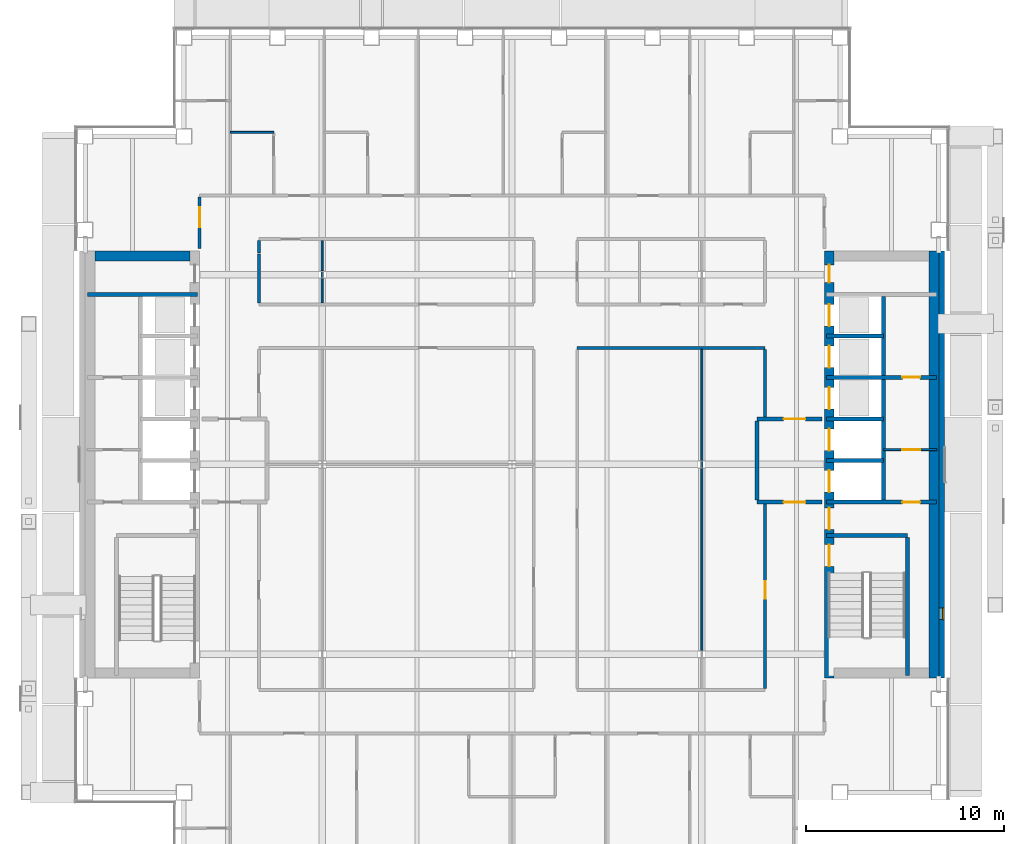
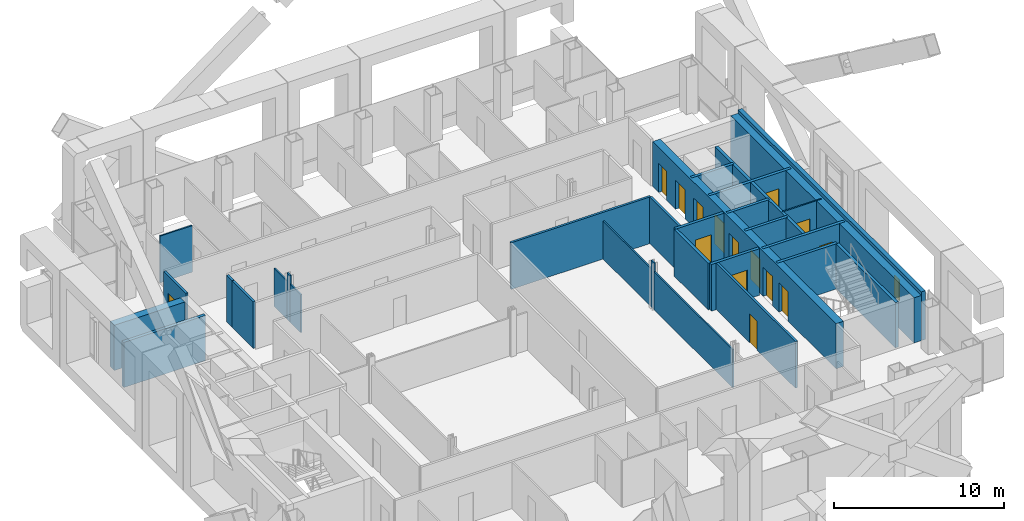
# One storey, part 14 of 22: 31 walls, 15 doors, 1 window, 16 openings.
"""IFC4 building model written with IfcOpenShell, lengths in metres."""

import ifcopenshell
import ifcopenshell.guid

model = None  # the IFC model being written
_history = None  # IfcOwnerHistory: only IFC2X3 demands one
_inside = {}  # id of a spatial element -> (the spatial element, [elements in it])
_under = {}  # id of a project, library or spatial element -> (it, [spatial elements below it])
_declared = {}  # id of a project -> (the project, [libraries it declares])
_typed = {}  # id of a type object -> (the type object, [elements of that type])
_made_of = {}  # id of a material, layer set ... -> (it, [elements and type objects made of it])


def new_model(schema):
    """Start an empty IFC model of exactly this schema.

    Asked for "IFC4X3", IfcOpenShell would pick the latest addendum, in which some entities
    have other attributes; the version numbers below select the first issue.
    IFC2X3 requires an IfcOwnerHistory on every rooted entity: one is made here for all.
    """
    global model, _history
    if schema == "IFC4X3":
        model = ifcopenshell.file(schema_version=(4, 3, 0, 0))
    else:
        model = ifcopenshell.file(schema=schema)
    _inside.clear()
    _under.clear()
    _declared.clear()
    _typed.clear()
    _made_of.clear()
    _history = None
    if model.schema == "IFC2X3":
        org = make("IfcOrganization", Name="unknown")
        user = make(
            "IfcPersonAndOrganization",
            ThePerson=make("IfcPerson", FamilyName="unknown"),
            TheOrganization=org,
        )
        app = make(
            "IfcApplication",
            ApplicationDeveloper=org,
            Version="unknown",
            ApplicationFullName="unknown",
            ApplicationIdentifier="unknown",
        )
        _history = make(
            "IfcOwnerHistory",
            OwningUser=user,
            OwningApplication=app,
            ChangeAction="ADDED",
            CreationDate=0,
        )
    return model


def make(cls, **values):
    """One entity of the class cls with the attributes given. An attribute that is None is left unset."""
    return model.create_entity(
        cls, **{name: value for name, value in values.items() if value is not None}
    )


def rooted(cls, **values):
    """An entity with a GlobalId (a new one), such as an element, a storey or a relation."""
    return make(cls, GlobalId=ifcopenshell.guid.new(), OwnerHistory=_history, **values)


def si_unit(unit_type, name, prefix=None):
    """IfcSIUnit, for example si_unit("LENGTHUNIT", "METRE", prefix="MILLI")."""
    return make("IfcSIUnit", UnitType=unit_type, Prefix=prefix, Name=name)


def assignment(units):
    """IfcUnitAssignment: the units of a project."""
    return None if units is None else make("IfcUnitAssignment", Units=units)


def point(xyz):
    """IfcCartesianPoint."""
    return None if xyz is None else make("IfcCartesianPoint", Coordinates=xyz)


def direction(xyz):
    """IfcDirection."""
    return None if xyz is None else make("IfcDirection", DirectionRatios=xyz)


def frame(location, z_axis=None, x_axis=None):
    """IfcAxis2Placement3D, a coordinate frame: its origin and axes. An axis left out is left unset."""
    return make(
        "IfcAxis2Placement3D",
        Location=point(location),
        Axis=direction(z_axis),
        RefDirection=direction(x_axis),
    )


def frame_2d(location, x_axis=None):
    """IfcAxis2Placement2D, a coordinate frame in the plane: its origin and x axis."""
    return make(
        "IfcAxis2Placement2D", Location=point(location), RefDirection=direction(x_axis)
    )


def origin():
    """The frame at (0, 0, 0) with its axes left unset."""
    return frame((0.0, 0.0, 0.0))


def place(relative_to, where):
    """IfcLocalPlacement: puts the frame where relative to a parent placement (None: the world)."""
    return make(
        "IfcLocalPlacement", PlacementRelTo=relative_to, RelativePlacement=where
    )


def context(
    kind, dimensions, precision=None, world=None, true_north=None, identifier=None
):
    """IfcGeometricRepresentationContext, for example the 3D "Model" context."""
    return make(
        "IfcGeometricRepresentationContext",
        ContextIdentifier=identifier,
        ContextType=kind,
        CoordinateSpaceDimension=dimensions,
        Precision=precision,
        WorldCoordinateSystem=world,
        TrueNorth=true_north,
    )


def subcontext(parent, identifier, kind, view, scale=None):
    """IfcGeometricRepresentationSubContext, for example "Body" below "Model"."""
    return make(
        "IfcGeometricRepresentationSubContext",
        ContextIdentifier=identifier,
        ContextType=kind,
        ParentContext=parent,
        TargetScale=scale,
        TargetView=view,
    )


def project(units=None, contexts=None):
    """IfcProject with its units and contexts."""
    return rooted(
        "IfcProject",
        Name="project",
        RepresentationContexts=contexts,
        UnitsInContext=assignment(units),
    )


def spatial(cls, under=None, at=None, **own):
    """A site, building, storey or space (cls), placed at a placement, below another one or the project."""
    s = rooted(cls, ObjectPlacement=at, **own)
    if under is not None:
        _under.setdefault(under.id(), (under, []))[1].append(s)
    return s


def profile(cls, at=None, kind="AREA", **sizes):
    """A parametric profile (cls). Its sizes go by their IFC names, for example OverallWidth=200.0."""
    return make(cls, ProfileType=kind, Position=at, **sizes)


def rectangle(**sizes):
    """IfcRectangleProfileDef."""
    return profile("IfcRectangleProfileDef", **sizes)


def extrude(swept, where, along, depth):
    """IfcExtrudedAreaSolid: the profile swept, set in the frame where, extruded along a direction by depth."""
    return make(
        "IfcExtrudedAreaSolid",
        SweptArea=swept,
        Position=where,
        ExtrudedDirection=direction(along),
        Depth=depth,
    )


def shape(context_of_items, identifier, shape_type, items):
    """IfcShapeRepresentation: the items that make up one representation, for example the "Body"."""
    return make(
        "IfcShapeRepresentation",
        ContextOfItems=context_of_items,
        RepresentationIdentifier=identifier,
        RepresentationType=shape_type,
        Items=items,
    )


def material(Name=None, Category=None):
    """IfcMaterial."""
    return make("IfcMaterial", Name=Name, Category=Category)


def layer(
    of_material, thickness, ventilated=None, Name=None, Category=None, Priority=None
):
    """IfcMaterialLayer: one layer of a wall or slab, of a material (None: an air gap)."""
    return make(
        "IfcMaterialLayer",
        Material=of_material,
        LayerThickness=thickness,
        IsVentilated=ventilated,
        Name=Name,
        Category=Category,
        Priority=Priority,
    )


def layer_set(layers, Name=None):
    """IfcMaterialLayerSet."""
    return make("IfcMaterialLayerSet", MaterialLayers=layers, LayerSetName=Name)


def made_of(thing, what):
    """Note that an element or type object is made of a material, layer set ...; save() writes the relation."""
    if what is not None:
        _made_of.setdefault(what.id(), (what, []))[1].append(thing)
    return thing


def type_object(cls, material=None, **own):
    """A type object (cls), such as IfcWallType, which elements share."""
    return made_of(rooted(cls, **own), material)


def element(
    cls,
    number,
    at=None,
    inside=None,
    cuts=None,
    type_object=None,
    material=None,
    context=None,
    identifier="Body",
    shape_type=None,
    held_by="IfcProductDefinitionShape",
    body=None,
    shapes=None,
    **own,
):
    """One element of the class cls, such as IfcWall. Its Tag is "e" and its number.

    at: its placement. inside: the storey or other place that contains it. cuts: it is an
    opening in that element (IfcRelVoidsElement). A single representation is given by context,
    identifier, shape_type and body (its items); several are given by shapes. held_by: the class
    of the entity that holds the representations. save() writes the other relations.
    """
    e = rooted(cls, Tag="e%d" % number, ObjectPlacement=at, **own)
    if body is not None:
        shapes = [shape(context, identifier, shape_type, body)]
    if shapes is not None:
        e.Representation = make(held_by, Representations=shapes)
    if inside is not None:
        _inside.setdefault(inside.id(), (inside, []))[1].append(e)
    if cuts is not None:
        rooted(
            "IfcRelVoidsElement", RelatingBuildingElement=cuts, RelatedOpeningElement=e
        )
    if type_object is not None:
        _typed.setdefault(type_object.id(), (type_object, []))[1].append(e)
    return made_of(e, material)


def fill(opening, filler):
    """IfcRelFillsElement: the door or window that sits in an opening."""
    return rooted(
        "IfcRelFillsElement",
        RelatingOpeningElement=opening,
        RelatedBuildingElement=filler,
    )


def aggregate(whole, parts):
    """IfcRelAggregates: a whole, such as a stair, and the parts it consists of."""
    return rooted("IfcRelAggregates", RelatingObject=whole, RelatedObjects=parts)


def save(model, path):
    """Write the relations noted so far, then the file.

    IfcRelAggregates (storeys below a building ...), IfcRelContainedInSpatialStructure (elements
    in a storey), IfcRelDefinesByType, IfcRelAssociatesMaterial and IfcRelDeclares: one each for
    every whole, place, type object, material and project.
    """
    for whole, parts in _under.values():
        aggregate(whole, parts)
    for where, things in _inside.values():
        rooted(
            "IfcRelContainedInSpatialStructure",
            RelatedElements=things,
            RelatingStructure=where,
        )
    for kind, things in _typed.values():
        rooted("IfcRelDefinesByType", RelatedObjects=things, RelatingType=kind)
    for what, things in _made_of.values():
        rooted("IfcRelAssociatesMaterial", RelatedObjects=things, RelatingMaterial=what)
    for by, libraries in _declared.values():
        rooted("IfcRelDeclares", RelatingContext=by, RelatedDefinitions=libraries)
    model.write(path)


model = new_model("IFC4")

# Units and contexts
model_context = context("Model", 3, precision=1e-05, world=origin(), true_north=direction((0.0, 1.0)))
body_context = subcontext(model_context, "Body", "Model", "MODEL_VIEW")
ifc_project = project(units=[si_unit("LENGTHUNIT", "METRE"), si_unit("AREAUNIT", "SQUARE_METRE"), si_unit("VOLUMEUNIT", "CUBIC_METRE"), si_unit("PLANEANGLEUNIT", "RADIAN"), si_unit("MASSUNIT", "GRAM", prefix="KILO")], contexts=[model_context])

# Site, building, storey
site_placement = place(None, origin())
site = spatial("IfcSite", under=ifc_project, at=site_placement, CompositionType="ELEMENT")
building_placement = place(site_placement, origin())
building = spatial("IfcBuilding", under=site, at=building_placement, Name="Cobrizo Arcos Hotel Tower", CompositionType="ELEMENT")
storey_placement = place(building_placement, frame((0.0, 0.0, 169.0)))
storey = spatial("IfcBuildingStorey", under=building, at=storey_placement, Name="L43", CompositionType="ELEMENT", Elevation=169.0)

# Wall
ifc_material_1 = material(Name="Gypsum board partition")
ifc_layer_1 = layer(ifc_material_1, 0.14990234375)
ifc_layer_set_1 = layer_set([ifc_layer_1], Name="Corridor wall EI 60 150")
wall_type_1 = type_object("IfcWallType", Name="Corridor wall EI 60 150", PredefinedType="PARTITIONING", material=ifc_layer_set_1)
wall_1_placement = place(storey_placement, frame((3.300048828125, 5.89990234375, 0.0), z_axis=(0.0, 0.0, 1.0), x_axis=(1.0, 0.0, 0.0)))
element("IfcWall", 1, at=wall_1_placement, inside=storey, type_object=wall_type_1, Name="Partition 030", PredefinedType="PARTITIONING", context=body_context, shape_type="SweptSolid", body=[
    extrude(rectangle(XDim=9.5, YDim=0.14990234375, at=frame_2d((4.75, 0.0))), origin(), (0.0, 0.0, 1.0), 3.35009765625),
])

# Wall, opening, door
wall_2_placement = place(storey_placement, frame((-15.800048828125, 10.919921875, 0.0), z_axis=(0.0, 0.0, 1.0), x_axis=(0.0, 1.0, 0.0)))
wall_2 = element("IfcWall", 2, at=wall_2_placement, inside=storey, type_object=wall_type_1, Name="Partition 051", PredefinedType="PARTITIONING", context=body_context, shape_type="SweptSolid", body=[
    extrude(rectangle(XDim=2.60498046875, YDim=0.14990234375, at=frame_2d((1.302490234375, 0.0))), origin(), (0.0, 0.0, 1.0), 3.35009765625),
])
opening_1_placement = place(wall_2_placement, frame((1.080078125, 0.0, 0.0)))
opening_1 = element("IfcOpeningElement", 3, at=opening_1_placement, cuts=wall_2, Name="Opening GD-09", PredefinedType="OPENING", context=body_context, shape_type="SweptSolid", body=[
    extrude(rectangle(XDim=1.0, YDim=2.10009765625, at=frame_2d((0.5, 1.050048828125))), frame((0.0, 0.0869140625, 0.0), z_axis=(0.0, -1.0, 0.0), x_axis=(1.0, 0.0, 0.0)), (0.0, 0.0, 1.0), 0.173828125),
])
ifc_material_2 = material(Name="Timber door leaf", Category="wood")
door_type_1 = type_object("IfcDoorType", Name="Guest room door FD30S 1000x2100", OperationType="SINGLE_SWING_LEFT", PredefinedType="DOOR", material=ifc_material_2)
door_1_placement = place(opening_1_placement, origin())
door_1 = element("IfcDoor", 4, at=door_1_placement, inside=storey, type_object=door_type_1, Name="Door GD-09", OperationType="SINGLE_SWING_RIGHT", OverallHeight=2.10009765625, OverallWidth=1.0, PredefinedType="DOOR", context=body_context, shape_type="SweptSolid", body=[
    extrude(rectangle(XDim=1.0, YDim=2.10009765625, at=frame_2d((0.5, 1.050048828125))), frame((0.0, 0.02490234375, 0.0), z_axis=(0.0, -1.0, 0.0), x_axis=(1.0, 0.0, 0.0)), (0.0, 0.0, 1.0), 0.050048828125),
])
fill(opening_1, door_1)

# Walls
wall_3_placement = place(storey_placement, frame((-12.800048828125, 8.175048828125, 0.0), z_axis=(0.0, 0.0, 1.0), x_axis=(0.0, 1.0, 0.0)))
element("IfcWall", 5, at=wall_3_placement, inside=storey, type_object=wall_type_1, Name="Partition 056", PredefinedType="PARTITIONING", context=body_context, shape_type="SweptSolid", body=[
    extrude(rectangle(XDim=2.474853515625, YDim=0.14990234375, at=frame_2d((1.2373046875, 0.0))), origin(), (0.0, 0.0, 1.0), 3.35009765625),
])
wall_4_placement = place(storey_placement, frame((-12.800048828125, 10.699951171875, 0.0), z_axis=(0.0, 0.0, 1.0), x_axis=(0.0, 1.0, 0.0)))
element("IfcWall", 6, at=wall_4_placement, inside=storey, type_object=wall_type_1, Name="Partition 057", PredefinedType="PARTITIONING", context=body_context, shape_type="SweptSolid", body=[
    extrude(rectangle(XDim=0.625, YDim=0.14990234375, at=frame_2d((0.3125, 0.0))), origin(), (0.0, 0.0, 1.0), 3.35009765625),
])

# Wall, opening, door
wall_5_placement = place(storey_placement, frame((12.800048828125, -11.324951171875, 0.0), z_axis=(0.0, 0.0, 1.0), x_axis=(0.0, 1.0, 0.0)))
wall_5 = element("IfcWall", 7, at=wall_5_placement, inside=storey, type_object=wall_type_1, Name="Partition 097", PredefinedType="PARTITIONING", context=body_context, shape_type="SweptSolid", body=[
    extrude(rectangle(XDim=9.324951171875, YDim=0.14990234375, at=frame_2d((4.66259765625, 0.0))), origin(), (0.0, 0.0, 1.0), 3.35009765625),
])
opening_2_placement = place(wall_5_placement, frame((4.52490234375, 0.0, 0.0)))
opening_2 = element("IfcOpeningElement", 8, at=opening_2_placement, cuts=wall_5, Name="Opening RD-18", PredefinedType="OPENING", context=body_context, shape_type="SweptSolid", body=[
    extrude(rectangle(XDim=0.89990234375, YDim=2.10009765625, at=frame_2d((0.449951171875, 1.050048828125))), frame((0.0, 0.0869140625, 0.0), z_axis=(0.0, -1.0, 0.0), x_axis=(1.0, 0.0, 0.0)), (0.0, 0.0, 1.0), 0.173828125),
])
door_type_2 = type_object("IfcDoorType", Name="Room door FD30 900x2100", OperationType="SINGLE_SWING_LEFT", PredefinedType="DOOR", material=ifc_material_2)
door_2_placement = place(opening_2_placement, origin())
door_2 = element("IfcDoor", 9, at=door_2_placement, inside=storey, type_object=door_type_2, Name="Door RD-18", OperationType="SINGLE_SWING_LEFT", OverallHeight=2.10009765625, OverallWidth=0.89990234375, PredefinedType="DOOR", context=body_context, shape_type="SweptSolid", body=[
    extrude(rectangle(XDim=0.89990234375, YDim=2.10009765625, at=frame_2d((0.449951171875, 1.050048828125))), frame((0.0, 0.02490234375, 0.0), z_axis=(0.0, -1.0, 0.0), x_axis=(1.0, 0.0, 0.0)), (0.0, 0.0, 1.0), 0.050048828125),
])
fill(opening_2, door_2)

# Wall
wall_6_placement = place(storey_placement, frame((12.800048828125, 2.39990234375, 0.0), z_axis=(0.0, 0.0, 1.0), x_axis=(0.0, 1.0, 0.0)))
element("IfcWall", 10, at=wall_6_placement, inside=storey, type_object=wall_type_1, Name="Partition 098", PredefinedType="PARTITIONING", context=body_context, shape_type="SweptSolid", body=[
    extrude(rectangle(XDim=3.425048828125, YDim=0.14990234375, at=frame_2d((1.71240234375, 0.0))), origin(), (0.0, 0.0, 1.0), 3.35009765625),
])

# Wall, opening, window
ifc_material_3 = material(Name="Aluminium composite panel pale metal", Category="aluminium")
ifc_layer_2 = layer(ifc_material_3, 0.27490234375)
ifc_layer_set_2 = layer_set([ifc_layer_2], Name="EW-1 insulated panel wall 275")
wall_type_2 = type_object("IfcWallType", Name="EW-1 insulated panel wall 275", PredefinedType="SOLIDWALL", material=ifc_layer_set_2)
wall_7_placement = place(storey_placement, frame((21.737548828125, -10.800048828125, 0.0), z_axis=(0.0, 0.0, 1.0), x_axis=(0.0, 1.0, 0.0)))
wall_7 = element("IfcWall", 11, at=wall_7_placement, inside=storey, type_object=wall_type_2, Name="Core face wall L43 E", PredefinedType="SOLIDWALL", context=body_context, shape_type="SweptSolid", body=[
    extrude(rectangle(XDim=21.60009765625, YDim=0.27490234375, at=frame_2d((10.800048828125, 0.0))), origin(), (0.0, 0.0, 1.0), 3.5),
])
opening_3_placement = place(wall_7_placement, frame((2.949951171875, 0.0, 1.0)))
opening_3 = element("IfcOpeningElement", 12, at=opening_3_placement, cuts=wall_7, Name="Opening W-93", PredefinedType="OPENING", context=body_context, shape_type="SweptSolid", body=[
    extrude(rectangle(XDim=0.60009765625, YDim=1.5, at=frame_2d((0.300048828125, 0.75))), frame((0.0, 0.1494140625, 0.0), z_axis=(0.0, -1.0, 0.0), x_axis=(1.0, 0.0, 0.0)), (0.0, 0.0, 1.0), 0.298828125),
])
ifc_material_4 = material(Name="Aluminium 6063-T6 and clear laminated glass", Category="aluminium")
window_type = type_object("IfcWindowType", Name="W-C1 core stair slot window 600x1500", PartitioningType="SINGLE_PANEL", PredefinedType="WINDOW", material=ifc_material_4)
window_placement = place(opening_3_placement, origin())
window = element("IfcWindow", 13, at=window_placement, inside=storey, type_object=window_type, Name="Core face wall L43 E window W-93", OverallHeight=1.5, OverallWidth=0.60009765625, PartitioningType="SINGLE_PANEL", PredefinedType="WINDOW", context=body_context, shape_type="SweptSolid", body=[
    extrude(rectangle(XDim=0.60009765625, YDim=1.5, at=frame_2d((0.300048828125, 0.75))), frame((0.0, -0.04736328125, 0.0), z_axis=(0.0, -1.0, 0.0), x_axis=(1.0, 0.0, 0.0)), (0.0, 0.0, 1.0), 0.06005859375),
])
fill(opening_3, window)

# Wall, opening, door
ifc_layer_3 = layer(ifc_material_1, 0.10009765625)
ifc_layer_set_3 = layer_set([ifc_layer_3], Name="Partition EI 30 100")
wall_type_3 = type_object("IfcWallType", Name="Partition EI 30 100", PredefinedType="PARTITIONING", material=ifc_layer_set_3)
wall_8_placement = place(storey_placement, frame((18.800048828125, 0.75, 0.0), z_axis=(0.0, 0.0, 1.0), x_axis=(1.0, 0.0, 0.0)))
wall_8 = element("IfcWall", 14, at=wall_8_placement, inside=storey, type_object=wall_type_3, Name="Partition 022", PredefinedType="PARTITIONING", context=body_context, shape_type="SweptSolid", body=[
    extrude(rectangle(XDim=2.679931640625, YDim=0.10009765625, at=frame_2d((1.33984375, 0.0))), origin(), (0.0, 0.0, 1.0), 3.25),
])
opening_4_placement = place(wall_8_placement, frame((0.949951171875, 0.0, 0.0)))
opening_4 = element("IfcOpeningElement", 15, at=opening_4_placement, cuts=wall_8, Name="Opening RD-07", PredefinedType="OPENING", context=body_context, shape_type="SweptSolid", body=[
    extrude(rectangle(XDim=0.89990234375, YDim=2.10009765625, at=frame_2d((0.449951171875, 1.050048828125))), frame((0.0, 0.06201171875, 0.0), z_axis=(0.0, -1.0, 0.0), x_axis=(1.0, 0.0, 0.0)), (0.0, 0.0, 1.0), 0.1240234375),
])
door_3_placement = place(opening_4_placement, origin())
door_3 = element("IfcDoor", 16, at=door_3_placement, inside=storey, type_object=door_type_2, Name="Door RD-07", OperationType="SINGLE_SWING_LEFT", OverallHeight=2.10009765625, OverallWidth=0.89990234375, PredefinedType="DOOR", context=body_context, shape_type="SweptSolid", body=[
    extrude(rectangle(XDim=0.89990234375, YDim=2.10009765625, at=frame_2d((0.449951171875, 1.050048828125))), frame((0.0, 0.02490234375, 0.0), z_axis=(0.0, -1.0, 0.0), x_axis=(1.0, 0.0, 0.0)), (0.0, 0.0, 1.0), 0.050048828125),
])
fill(opening_4, door_3)

# Walls
wall_9_placement = place(storey_placement, frame((-14.25, 16.800048828125, 0.0), z_axis=(0.0, 0.0, 1.0), x_axis=(1.0, 0.0, 0.0)))
element("IfcWall", 17, at=wall_9_placement, inside=storey, type_object=wall_type_3, Name="Partition 040", PredefinedType="PARTITIONING", context=body_context, shape_type="SweptSolid", body=[
    extrude(rectangle(XDim=2.199951171875, YDim=0.10009765625, at=frame_2d((1.10009765625, 0.0))), origin(), (0.0, 0.0, 1.0), 3.35009765625),
])
wall_10_placement = place(storey_placement, frame((-9.60009765625, 8.175048828125, 0.0), z_axis=(0.0, 0.0, 1.0), x_axis=(0.0, 1.0, 0.0)))
element("IfcWall", 18, at=wall_10_placement, inside=storey, type_object=wall_type_3, Name="Partition 064", PredefinedType="PARTITIONING", context=body_context, shape_type="SweptSolid", body=[
    extrude(rectangle(XDim=1.238037109375, YDim=0.10009765625, at=frame_2d((0.619140625, 0.0))), origin(), (0.0, 0.0, 1.0), 2.72802734375),
])
wall_11_placement = place(storey_placement, frame((-9.60009765625, 9.4130859375, 0.0), z_axis=(0.0, 0.0, 1.0), x_axis=(0.0, 1.0, 0.0)))
element("IfcWall", 19, at=wall_11_placement, inside=storey, type_object=wall_type_3, Name="Partition 065", PredefinedType="PARTITIONING", context=body_context, shape_type="SweptSolid", body=[
    extrude(rectangle(XDim=0.3740234375, YDim=0.10009765625, at=frame_2d((0.18701171875, 0.0))), origin(), (0.0, 0.0, 1.0), 3.35009765625),
])
wall_12_placement = place(storey_placement, frame((-9.60009765625, 9.787109375, 0.0), z_axis=(0.0, 0.0, 1.0), x_axis=(0.0, 1.0, 0.0)))
element("IfcWall", 20, at=wall_12_placement, inside=storey, type_object=wall_type_3, Name="Partition 066", PredefinedType="PARTITIONING", context=body_context, shape_type="SweptSolid", body=[
    extrude(rectangle(XDim=1.537841796875, YDim=0.10009765625, at=frame_2d((0.76904296875, 0.0))), origin(), (0.0, 0.0, 1.0), 2.72802734375),
])
wall_13_placement = place(storey_placement, frame((9.60009765625, -9.4130859375, 0.0), z_axis=(0.0, 0.0, 1.0), x_axis=(0.0, 1.0, 0.0)))
element("IfcWall", 21, at=wall_13_placement, inside=storey, type_object=wall_type_3, Name="Partition 088", PredefinedType="PARTITIONING", context=body_context, shape_type="SweptSolid", body=[
    extrude(rectangle(XDim=9.22607421875, YDim=0.10009765625, at=frame_2d((4.613037109375, 0.0))), origin(), (0.0, 0.0, 1.0), 2.72802734375),
])
wall_14_placement = place(storey_placement, frame((9.60009765625, -0.18701171875, 0.0), z_axis=(0.0, 0.0, 1.0), x_axis=(0.0, 1.0, 0.0)))
element("IfcWall", 22, at=wall_14_placement, inside=storey, type_object=wall_type_3, Name="Partition 089", PredefinedType="PARTITIONING", context=body_context, shape_type="SweptSolid", body=[
    extrude(rectangle(XDim=0.3740234375, YDim=0.10009765625, at=frame_2d((0.18701171875, 0.0))), origin(), (0.0, 0.0, 1.0), 3.35009765625),
])
wall_15_placement = place(storey_placement, frame((9.60009765625, 0.18701171875, 0.0), z_axis=(0.0, 0.0, 1.0), x_axis=(0.0, 1.0, 0.0)))
element("IfcWall", 23, at=wall_15_placement, inside=storey, type_object=wall_type_3, Name="Partition 090", PredefinedType="PARTITIONING", context=body_context, shape_type="SweptSolid", body=[
    extrude(rectangle(XDim=5.637939453125, YDim=0.10009765625, at=frame_2d((2.81884765625, 0.0))), origin(), (0.0, 0.0, 1.0), 2.72802734375),
])

# Wall, openings, doors
ifc_material_5 = material(Name="Concrete f'c 50 MPa", Category="concrete")
ifc_layer_4 = layer(ifc_material_5, 0.5)
ifc_layer_set_4 = layer_set([ifc_layer_4], Name="RC core wall 500 f'c 50")
wall_type_4 = type_object("IfcWallType", Name="RC core wall 500 f'c 50", PredefinedType="SHEAR", material=ifc_layer_set_4)
wall_16_placement = place(storey_placement, frame((16.050048828125, -10.800048828125, 0.0), z_axis=(0.0, 0.0, 1.0), x_axis=(0.0, 1.0, 0.0)))
wall_16 = element("IfcWall", 24, at=wall_16_placement, inside=storey, type_object=wall_type_4, Name="Core wall CW3, east core, inner face, L43", PredefinedType="SHEAR", context=body_context, shape_type="SweptSolid", body=[
    extrude(rectangle(XDim=21.60009765625, YDim=0.5, at=frame_2d((10.800048828125, 0.0))), origin(), (0.0, 0.0, 1.0), 3.25),
])
opening_5_placement = place(wall_16_placement, frame((9.39990234375, 0.0, 0.0)))
opening_5 = element("IfcOpeningElement", 25, at=opening_5_placement, cuts=wall_16, Name="Opening LD-06", PredefinedType="OPENING", context=body_context, shape_type="SweptSolid", body=[
    extrude(rectangle(XDim=1.10009765625, YDim=2.10009765625, at=frame_2d((0.550048828125, 1.050048828125))), frame((0.0, 0.261962890625, 0.0), z_axis=(0.0, -1.0, 0.0), x_axis=(1.0, 0.0, 0.0)), (0.0, 0.0, 1.0), 0.52392578125),
])
opening_6_placement = place(wall_16_placement, frame((11.5, 0.0, 0.0)))
opening_6 = element("IfcOpeningElement", 26, at=opening_6_placement, cuts=wall_16, Name="Opening LD-07", PredefinedType="OPENING", context=body_context, shape_type="SweptSolid", body=[
    extrude(rectangle(XDim=1.10009765625, YDim=2.10009765625, at=frame_2d((0.550048828125, 1.050048828125))), frame((0.0, 0.261962890625, 0.0), z_axis=(0.0, -1.0, 0.0), x_axis=(1.0, 0.0, 0.0)), (0.0, 0.0, 1.0), 0.52392578125),
])
opening_7_placement = place(wall_16_placement, frame((13.60009765625, 0.0, 0.0)))
opening_7 = element("IfcOpeningElement", 27, at=opening_7_placement, cuts=wall_16, Name="Opening LD-08", PredefinedType="OPENING", context=body_context, shape_type="SweptSolid", body=[
    extrude(rectangle(XDim=1.10009765625, YDim=2.10009765625, at=frame_2d((0.550048828125, 1.050048828125))), frame((0.0, 0.261962890625, 0.0), z_axis=(0.0, -1.0, 0.0), x_axis=(1.0, 0.0, 0.0)), (0.0, 0.0, 1.0), 0.52392578125),
])
opening_8_placement = place(wall_16_placement, frame((15.699951171875, 0.0, 0.0)))
opening_8 = element("IfcOpeningElement", 28, at=opening_8_placement, cuts=wall_16, Name="Opening LD-09", PredefinedType="OPENING", context=body_context, shape_type="SweptSolid", body=[
    extrude(rectangle(XDim=1.10009765625, YDim=2.10009765625, at=frame_2d((0.550048828125, 1.050048828125))), frame((0.0, 0.261962890625, 0.0), z_axis=(0.0, -1.0, 0.0), x_axis=(1.0, 0.0, 0.0)), (0.0, 0.0, 1.0), 0.52392578125),
])
opening_9_placement = place(wall_16_placement, frame((17.800048828125, 0.0, 0.0)))
opening_9 = element("IfcOpeningElement", 29, at=opening_9_placement, cuts=wall_16, Name="Opening LD-10", PredefinedType="OPENING", context=body_context, shape_type="SweptSolid", body=[
    extrude(rectangle(XDim=1.10009765625, YDim=2.10009765625, at=frame_2d((0.550048828125, 1.050048828125))), frame((0.0, 0.261962890625, 0.0), z_axis=(0.0, -1.0, 0.0), x_axis=(1.0, 0.0, 0.0)), (0.0, 0.0, 1.0), 0.52392578125),
])
opening_10_placement = place(wall_16_placement, frame((5.64208984375, 0.0, 0.0)))
opening_10 = element("IfcOpeningElement", 30, at=opening_10_placement, cuts=wall_16, Name="Opening SD-02", PredefinedType="OPENING", context=body_context, shape_type="SweptSolid", body=[
    extrude(rectangle(XDim=1.10009765625, YDim=2.10009765625, at=frame_2d((0.550048828125, 1.050048828125))), frame((0.0, 0.261962890625, 0.0), z_axis=(0.0, -1.0, 0.0), x_axis=(1.0, 0.0, 0.0)), (0.0, 0.0, 1.0), 0.52392578125),
])
opening_11_placement = place(wall_16_placement, frame((7.5, 0.0, 0.0)))
opening_11 = element("IfcOpeningElement", 31, at=opening_11_placement, cuts=wall_16, Name="Opening FD-04", PredefinedType="OPENING", context=body_context, shape_type="SweptSolid", body=[
    extrude(rectangle(XDim=1.10009765625, YDim=2.10009765625, at=frame_2d((0.550048828125, 1.050048828125))), frame((0.0, 0.261962890625, 0.0), z_axis=(0.0, -1.0, 0.0), x_axis=(1.0, 0.0, 0.0)), (0.0, 0.0, 1.0), 0.52392578125),
])
opening_12_placement = place(wall_16_placement, frame((20.0, 0.0, 0.0)))
opening_12 = element("IfcOpeningElement", 32, at=opening_12_placement, cuts=wall_16, Name="Opening RD-05", PredefinedType="OPENING", context=body_context, shape_type="SweptSolid", body=[
    extrude(rectangle(XDim=0.89990234375, YDim=2.10009765625, at=frame_2d((0.449951171875, 1.050048828125))), frame((0.0, 0.261962890625, 0.0), z_axis=(0.0, -1.0, 0.0), x_axis=(1.0, 0.0, 0.0)), (0.0, 0.0, 1.0), 0.52392578125),
])
ifc_material_6 = material(Name="Steel door leaf", Category="steel")
door_type_3 = type_object("IfcDoorType", Name="Fire door FD60 1100x2100", OperationType="SINGLE_SWING_LEFT", PredefinedType="DOOR", material=ifc_material_6)
door_4_placement = place(opening_11_placement, origin())
door_4 = element("IfcDoor", 33, at=door_4_placement, inside=storey, type_object=door_type_3, Name="Door FD-04", OperationType="SINGLE_SWING_RIGHT", OverallHeight=2.10009765625, OverallWidth=1.10009765625, PredefinedType="DOOR", context=body_context, shape_type="SweptSolid", body=[
    extrude(rectangle(XDim=1.10009765625, YDim=2.10009765625, at=frame_2d((0.550048828125, 1.050048828125))), frame((0.0, 0.02490234375, 0.0), z_axis=(0.0, -1.0, 0.0), x_axis=(1.0, 0.0, 0.0)), (0.0, 0.0, 1.0), 0.050048828125),
])
fill(opening_11, door_4)
door_type_4 = type_object("IfcDoorType", Name="Lift landing door 1100x2100", OperationType="SLIDING_TO_LEFT", PredefinedType="DOOR", material=ifc_material_6)
door_5_placement = place(opening_5_placement, origin())
door_5 = element("IfcDoor", 34, at=door_5_placement, inside=storey, type_object=door_type_4, Name="Lift landing door LD-06", OperationType="SLIDING_TO_LEFT", OverallHeight=2.10009765625, OverallWidth=1.10009765625, PredefinedType="DOOR", context=body_context, shape_type="SweptSolid", body=[
    extrude(rectangle(XDim=1.10009765625, YDim=2.10009765625, at=frame_2d((0.550048828125, 1.050048828125))), frame((0.0, 0.02490234375, 0.0), z_axis=(0.0, -1.0, 0.0), x_axis=(1.0, 0.0, 0.0)), (0.0, 0.0, 1.0), 0.050048828125),
])
fill(opening_5, door_5)
door_6_placement = place(opening_6_placement, origin())
door_6 = element("IfcDoor", 35, at=door_6_placement, inside=storey, type_object=door_type_4, Name="Lift landing door LD-07", OperationType="SLIDING_TO_LEFT", OverallHeight=2.10009765625, OverallWidth=1.10009765625, PredefinedType="DOOR", context=body_context, shape_type="SweptSolid", body=[
    extrude(rectangle(XDim=1.10009765625, YDim=2.10009765625, at=frame_2d((0.550048828125, 1.050048828125))), frame((0.0, 0.02490234375, 0.0), z_axis=(0.0, -1.0, 0.0), x_axis=(1.0, 0.0, 0.0)), (0.0, 0.0, 1.0), 0.050048828125),
])
fill(opening_6, door_6)
door_7_placement = place(opening_7_placement, origin())
door_7 = element("IfcDoor", 36, at=door_7_placement, inside=storey, type_object=door_type_4, Name="Lift landing door LD-08", OperationType="SLIDING_TO_LEFT", OverallHeight=2.10009765625, OverallWidth=1.10009765625, PredefinedType="DOOR", context=body_context, shape_type="SweptSolid", body=[
    extrude(rectangle(XDim=1.10009765625, YDim=2.10009765625, at=frame_2d((0.550048828125, 1.050048828125))), frame((0.0, 0.02490234375, 0.0), z_axis=(0.0, -1.0, 0.0), x_axis=(1.0, 0.0, 0.0)), (0.0, 0.0, 1.0), 0.050048828125),
])
fill(opening_7, door_7)
door_8_placement = place(opening_8_placement, origin())
door_8 = element("IfcDoor", 37, at=door_8_placement, inside=storey, type_object=door_type_4, Name="Lift landing door LD-09", OperationType="SLIDING_TO_LEFT", OverallHeight=2.10009765625, OverallWidth=1.10009765625, PredefinedType="DOOR", context=body_context, shape_type="SweptSolid", body=[
    extrude(rectangle(XDim=1.10009765625, YDim=2.10009765625, at=frame_2d((0.550048828125, 1.050048828125))), frame((0.0, 0.02490234375, 0.0), z_axis=(0.0, -1.0, 0.0), x_axis=(1.0, 0.0, 0.0)), (0.0, 0.0, 1.0), 0.050048828125),
])
fill(opening_8, door_8)
door_9_placement = place(opening_9_placement, origin())
door_9 = element("IfcDoor", 38, at=door_9_placement, inside=storey, type_object=door_type_4, Name="Lift landing door LD-10", OperationType="SLIDING_TO_LEFT", OverallHeight=2.10009765625, OverallWidth=1.10009765625, PredefinedType="DOOR", context=body_context, shape_type="SweptSolid", body=[
    extrude(rectangle(XDim=1.10009765625, YDim=2.10009765625, at=frame_2d((0.550048828125, 1.050048828125))), frame((0.0, 0.02490234375, 0.0), z_axis=(0.0, -1.0, 0.0), x_axis=(1.0, 0.0, 0.0)), (0.0, 0.0, 1.0), 0.050048828125),
])
fill(opening_9, door_9)
door_10_placement = place(opening_12_placement, origin())
door_10 = element("IfcDoor", 39, at=door_10_placement, inside=storey, type_object=door_type_2, Name="Door RD-05", OperationType="SINGLE_SWING_RIGHT", OverallHeight=2.10009765625, OverallWidth=0.89990234375, PredefinedType="DOOR", context=body_context, shape_type="SweptSolid", body=[
    extrude(rectangle(XDim=0.89990234375, YDim=2.10009765625, at=frame_2d((0.449951171875, 1.050048828125))), frame((0.0, 0.02490234375, 0.0), z_axis=(0.0, -1.0, 0.0), x_axis=(1.0, 0.0, 0.0)), (0.0, 0.0, 1.0), 0.050048828125),
])
fill(opening_12, door_10)
door_type_5 = type_object("IfcDoorType", Name="Stair door FD60S 1100x2100", OperationType="SINGLE_SWING_LEFT", PredefinedType="DOOR", material=ifc_material_6)
door_11_placement = place(opening_10_placement, origin())
door_11 = element("IfcDoor", 40, at=door_11_placement, inside=storey, type_object=door_type_5, Name="Door SD-02", OperationType="SINGLE_SWING_RIGHT", OverallHeight=2.10009765625, OverallWidth=1.10009765625, PredefinedType="DOOR", context=body_context, shape_type="SweptSolid", body=[
    extrude(rectangle(XDim=1.10009765625, YDim=2.10009765625, at=frame_2d((0.550048828125, 1.050048828125))), frame((0.0, 0.02490234375, 0.0), z_axis=(0.0, -1.0, 0.0), x_axis=(1.0, 0.0, 0.0)), (0.0, 0.0, 1.0), 0.050048828125),
])
fill(opening_10, door_11)

# Walls
wall_17_placement = place(storey_placement, frame((21.35009765625, -10.800048828125, 0.0), z_axis=(0.0, 0.0, 1.0), x_axis=(0.0, 1.0, 0.0)))
element("IfcWall", 41, at=wall_17_placement, inside=storey, type_object=wall_type_4, Name="Core wall CW3, east core, outer face, L43", PredefinedType="SHEAR", context=body_context, shape_type="SweptSolid", body=[
    extrude(rectangle(XDim=21.60009765625, YDim=0.5, at=frame_2d((10.800048828125, 0.0))), origin(), (0.0, 0.0, 1.0), 3.25),
])
wall_18_placement = place(storey_placement, frame((-21.10009765625, 10.550048828125, 0.0), z_axis=(0.0, 0.0, 1.0), x_axis=(1.0, 0.0, 0.0)))
element("IfcWall", 42, at=wall_18_placement, inside=storey, type_object=wall_type_4, Name="Core wall CW3, west core, north end, L43", PredefinedType="SHEAR", context=body_context, shape_type="SweptSolid", body=[
    extrude(rectangle(XDim=4.800048828125, YDim=0.5, at=frame_2d((2.39990234375, 0.0))), origin(), (0.0, 0.0, 1.0), 3.25),
])

# Wall, opening, door
ifc_layer_5 = layer(ifc_material_1, 0.199951171875)
ifc_layer_set_5 = layer_set([ifc_layer_5], Name="Shaft wall EI 120 200")
wall_type_5 = type_object("IfcWallType", Name="Shaft wall EI 120 200", PredefinedType="PARTITIONING", material=ifc_layer_set_5)
wall_19_placement = place(storey_placement, frame((12.39990234375, -1.89990234375, 0.0), z_axis=(0.0, 0.0, 1.0), x_axis=(1.0, 0.0, 0.0)))
wall_19 = element("IfcWall", 43, at=wall_19_placement, inside=storey, type_object=wall_type_5, Name="Partition 012", PredefinedType="PARTITIONING", context=body_context, shape_type="SweptSolid", body=[
    extrude(rectangle(XDim=3.280029296875, YDim=0.199951171875, at=frame_2d((1.64013671875, 0.0))), origin(), (0.0, 0.0, 1.0), 3.35009765625),
])
opening_13_placement = place(wall_19_placement, frame((1.340087890625, 0.0, 0.0)))
opening_13 = element("IfcOpeningElement", 44, at=opening_13_placement, cuts=wall_19, Name="Opening FD-06", PredefinedType="OPENING", context=body_context, shape_type="SweptSolid", body=[
    extrude(rectangle(XDim=1.10009765625, YDim=2.10009765625, at=frame_2d((0.550048828125, 1.050048828125))), frame((0.0, 0.112060546875, 0.0), z_axis=(0.0, -1.0, 0.0), x_axis=(1.0, 0.0, 0.0)), (0.0, 0.0, 1.0), 0.223876953125),
])
door_12_placement = place(opening_13_placement, origin())
door_12 = element("IfcDoor", 45, at=door_12_placement, inside=storey, type_object=door_type_3, Name="Door FD-06", OperationType="SINGLE_SWING_LEFT", OverallHeight=2.10009765625, OverallWidth=1.10009765625, PredefinedType="DOOR", context=body_context, shape_type="SweptSolid", body=[
    extrude(rectangle(XDim=1.10009765625, YDim=2.10009765625, at=frame_2d((0.550048828125, 1.050048828125))), frame((0.0, 0.02490234375, 0.0), z_axis=(0.0, -1.0, 0.0), x_axis=(1.0, 0.0, 0.0)), (0.0, 0.0, 1.0), 0.050048828125),
])
fill(opening_13, door_12)

wall_20_placement = place(storey_placement, frame((15.919921875, -1.89990234375, 0.0), z_axis=(0.0, 0.0, 1.0), x_axis=(1.0, 0.0, 0.0)))
wall_20 = element("IfcWall", 46, at=wall_20_placement, inside=storey, type_object=wall_type_5, Name="Partition 013", PredefinedType="PARTITIONING", context=body_context, shape_type="SweptSolid", body=[
    extrude(rectangle(XDim=5.56005859375, YDim=0.199951171875, at=frame_2d((2.780029296875, 0.0))), origin(), (0.0, 0.0, 1.0), 3.25),
])
opening_14_placement = place(wall_20_placement, frame((3.830078125, 0.0, 0.0)))
opening_14 = element("IfcOpeningElement", 47, at=opening_14_placement, cuts=wall_20, Name="Opening RD-06", PredefinedType="OPENING", context=body_context, shape_type="SweptSolid", body=[
    extrude(rectangle(XDim=0.89990234375, YDim=2.10009765625, at=frame_2d((0.449951171875, 1.050048828125))), frame((0.0, 0.112060546875, 0.0), z_axis=(0.0, -1.0, 0.0), x_axis=(1.0, 0.0, 0.0)), (0.0, 0.0, 1.0), 0.223876953125),
])
door_13_placement = place(opening_14_placement, origin())
door_13 = element("IfcDoor", 48, at=door_13_placement, inside=storey, type_object=door_type_2, Name="Door RD-06", OperationType="SINGLE_SWING_RIGHT", OverallHeight=2.10009765625, OverallWidth=0.89990234375, PredefinedType="DOOR", context=body_context, shape_type="SweptSolid", body=[
    extrude(rectangle(XDim=0.89990234375, YDim=2.10009765625, at=frame_2d((0.449951171875, 1.050048828125))), frame((0.0, 0.02490234375, 0.0), z_axis=(0.0, -1.0, 0.0), x_axis=(1.0, 0.0, 0.0)), (0.0, 0.0, 1.0), 0.050048828125),
])
fill(opening_14, door_13)

# Wall
wall_21_placement = place(storey_placement, frame((15.919921875, 0.199951171875, 0.0), z_axis=(0.0, 0.0, 1.0), x_axis=(1.0, 0.0, 0.0)))
element("IfcWall", 49, at=wall_21_placement, inside=storey, type_object=wall_type_5, Name="Partition 020", PredefinedType="PARTITIONING", context=body_context, shape_type="SweptSolid", body=[
    extrude(rectangle(XDim=2.880126953125, YDim=0.199951171875, at=frame_2d((1.43994140625, 0.0))), origin(), (0.0, 0.0, 1.0), 3.25),
])

# Wall, opening, door
wall_22_placement = place(storey_placement, frame((12.39990234375, 2.300048828125, 0.0), z_axis=(0.0, 0.0, 1.0), x_axis=(1.0, 0.0, 0.0)))
wall_22 = element("IfcWall", 50, at=wall_22_placement, inside=storey, type_object=wall_type_5, Name="Partition 025", PredefinedType="PARTITIONING", context=body_context, shape_type="SweptSolid", body=[
    extrude(rectangle(XDim=3.280029296875, YDim=0.199951171875, at=frame_2d((1.64013671875, 0.0))), origin(), (0.0, 0.0, 1.0), 3.35009765625),
])
opening_15_placement = place(wall_22_placement, frame((1.340087890625, 0.0, 0.0)))
opening_15 = element("IfcOpeningElement", 51, at=opening_15_placement, cuts=wall_22, Name="Opening FD-05", PredefinedType="OPENING", context=body_context, shape_type="SweptSolid", body=[
    extrude(rectangle(XDim=1.10009765625, YDim=2.10009765625, at=frame_2d((0.550048828125, 1.050048828125))), frame((0.0, 0.112060546875, 0.0), z_axis=(0.0, -1.0, 0.0), x_axis=(1.0, 0.0, 0.0)), (0.0, 0.0, 1.0), 0.223876953125),
])
door_14_placement = place(opening_15_placement, origin())
door_14 = element("IfcDoor", 52, at=door_14_placement, inside=storey, type_object=door_type_3, Name="Door FD-05", OperationType="SINGLE_SWING_RIGHT", OverallHeight=2.10009765625, OverallWidth=1.10009765625, PredefinedType="DOOR", context=body_context, shape_type="SweptSolid", body=[
    extrude(rectangle(XDim=1.10009765625, YDim=2.10009765625, at=frame_2d((0.550048828125, 1.050048828125))), frame((0.0, 0.02490234375, 0.0), z_axis=(0.0, -1.0, 0.0), x_axis=(1.0, 0.0, 0.0)), (0.0, 0.0, 1.0), 0.050048828125),
])
fill(opening_15, door_14)

# Wall
wall_23_placement = place(storey_placement, frame((15.919921875, 2.300048828125, 0.0), z_axis=(0.0, 0.0, 1.0), x_axis=(1.0, 0.0, 0.0)))
element("IfcWall", 53, at=wall_23_placement, inside=storey, type_object=wall_type_5, Name="Partition 026", PredefinedType="PARTITIONING", context=body_context, shape_type="SweptSolid", body=[
    extrude(rectangle(XDim=2.880126953125, YDim=0.199951171875, at=frame_2d((1.43994140625, 0.0))), origin(), (0.0, 0.0, 1.0), 3.25),
])

# Wall, opening, door
wall_24_placement = place(storey_placement, frame((15.919921875, 4.39990234375, 0.0), z_axis=(0.0, 0.0, 1.0), x_axis=(1.0, 0.0, 0.0)))
wall_24 = element("IfcWall", 54, at=wall_24_placement, inside=storey, type_object=wall_type_5, Name="Partition 028", PredefinedType="PARTITIONING", context=body_context, shape_type="SweptSolid", body=[
    extrude(rectangle(XDim=5.56005859375, YDim=0.199951171875, at=frame_2d((2.780029296875, 0.0))), origin(), (0.0, 0.0, 1.0), 3.25),
])
opening_16_placement = place(wall_24_placement, frame((3.830078125, 0.0, 0.0)))
opening_16 = element("IfcOpeningElement", 55, at=opening_16_placement, cuts=wall_24, Name="Opening RD-08", PredefinedType="OPENING", context=body_context, shape_type="SweptSolid", body=[
    extrude(rectangle(XDim=0.89990234375, YDim=2.10009765625, at=frame_2d((0.449951171875, 1.050048828125))), frame((0.0, 0.112060546875, 0.0), z_axis=(0.0, -1.0, 0.0), x_axis=(1.0, 0.0, 0.0)), (0.0, 0.0, 1.0), 0.223876953125),
])
door_15_placement = place(opening_16_placement, origin())
door_15 = element("IfcDoor", 56, at=door_15_placement, inside=storey, type_object=door_type_2, Name="Door RD-08", OperationType="SINGLE_SWING_LEFT", OverallHeight=2.10009765625, OverallWidth=0.89990234375, PredefinedType="DOOR", context=body_context, shape_type="SweptSolid", body=[
    extrude(rectangle(XDim=0.89990234375, YDim=2.10009765625, at=frame_2d((0.449951171875, 1.050048828125))), frame((0.0, 0.02490234375, 0.0), z_axis=(0.0, -1.0, 0.0), x_axis=(1.0, 0.0, 0.0)), (0.0, 0.0, 1.0), 0.050048828125),
])
fill(opening_16, door_15)

# Walls
wall_25_placement = place(storey_placement, frame((15.919921875, 6.5, 0.0), z_axis=(0.0, 0.0, 1.0), x_axis=(1.0, 0.0, 0.0)))
element("IfcWall", 57, at=wall_25_placement, inside=storey, type_object=wall_type_5, Name="Partition 032", PredefinedType="PARTITIONING", context=body_context, shape_type="SweptSolid", body=[
    extrude(rectangle(XDim=2.880126953125, YDim=0.199951171875, at=frame_2d((1.43994140625, 0.0))), origin(), (0.0, 0.0, 1.0), 3.25),
])
wall_26_placement = place(storey_placement, frame((-21.47998046875, 8.60009765625, 0.0), z_axis=(0.0, 0.0, 1.0), x_axis=(1.0, 0.0, 0.0)))
element("IfcWall", 58, at=wall_26_placement, inside=storey, type_object=wall_type_5, Name="Partition 035", PredefinedType="PARTITIONING", context=body_context, shape_type="SweptSolid", body=[
    extrude(rectangle(XDim=5.56005859375, YDim=0.199951171875, at=frame_2d((2.780029296875, 0.0))), origin(), (0.0, 0.0, 1.0), 3.25),
])
wall_27_placement = place(storey_placement, frame((12.39990234375, -1.800048828125, 0.0), z_axis=(0.0, 0.0, 1.0), x_axis=(0.0, 1.0, 0.0)))
element("IfcWall", 59, at=wall_27_placement, inside=storey, type_object=wall_type_5, Name="Partition 096", PredefinedType="PARTITIONING", context=body_context, shape_type="SweptSolid", body=[
    extrude(rectangle(XDim=4.0, YDim=0.199951171875, at=frame_2d((2.0, 0.0))), origin(), (0.0, 0.0, 1.0), 3.35009765625),
])
wall_28_placement = place(storey_placement, frame((18.800048828125, -1.800048828125, 0.0), z_axis=(0.0, 0.0, 1.0), x_axis=(0.0, 1.0, 0.0)))
element("IfcWall", 60, at=wall_28_placement, inside=storey, type_object=wall_type_5, Name="Partition 105", PredefinedType="PARTITIONING", context=body_context, shape_type="SweptSolid", body=[
    extrude(rectangle(XDim=6.10009765625, YDim=0.199951171875, at=frame_2d((3.050048828125, 0.0))), origin(), (0.0, 0.0, 1.0), 3.25),
])
wall_29_placement = place(storey_placement, frame((18.800048828125, 4.5, 0.0), z_axis=(0.0, 0.0, 1.0), x_axis=(0.0, 1.0, 0.0)))
element("IfcWall", 61, at=wall_29_placement, inside=storey, type_object=wall_type_5, Name="Partition 106", PredefinedType="PARTITIONING", context=body_context, shape_type="SweptSolid", body=[
    extrude(rectangle(XDim=4.0, YDim=0.199951171875, at=frame_2d((2.0, 0.0))), origin(), (0.0, 0.0, 1.0), 3.25),
])
ifc_material_7 = material(Name="Concrete f'c 40 MPa", Category="concrete")
ifc_layer_6 = layer(ifc_material_7, 0.199951171875)
ifc_layer_set_6 = layer_set([ifc_layer_6], Name="Stair shaft wall 200")
wall_type_6 = type_object("IfcWallType", Name="Stair shaft wall 200", PredefinedType="SHEAR", material=ifc_layer_set_6)
wall_30_placement = place(storey_placement, frame((15.919921875, -3.60009765625, 0.0), z_axis=(0.0, 0.0, 1.0), x_axis=(1.0, 0.0, 0.0)))
element("IfcWall", 62, at=wall_30_placement, inside=storey, type_object=wall_type_6, Name="Stair shaft wall E", PredefinedType="SHEAR", context=body_context, shape_type="SweptSolid", body=[
    extrude(rectangle(XDim=4.080078125, YDim=0.199951171875, at=frame_2d((2.0400390625, 0.0))), origin(), (0.0, 0.0, 1.0), 3.25),
])
wall_31_placement = place(storey_placement, frame((20.0, -10.679931640625, 0.0), z_axis=(0.0, 0.0, 1.0), x_axis=(0.0, 1.0, 0.0)))
element("IfcWall", 63, at=wall_31_placement, inside=storey, type_object=wall_type_6, Name="Stair shaft wall E", PredefinedType="SHEAR", context=body_context, shape_type="SweptSolid", body=[
    extrude(rectangle(XDim=6.97998046875, YDim=0.199951171875, at=frame_2d((3.489990234375, 0.0))), origin(), (0.0, 0.0, 1.0), 3.25),
])

save(model, "model.ifc")
